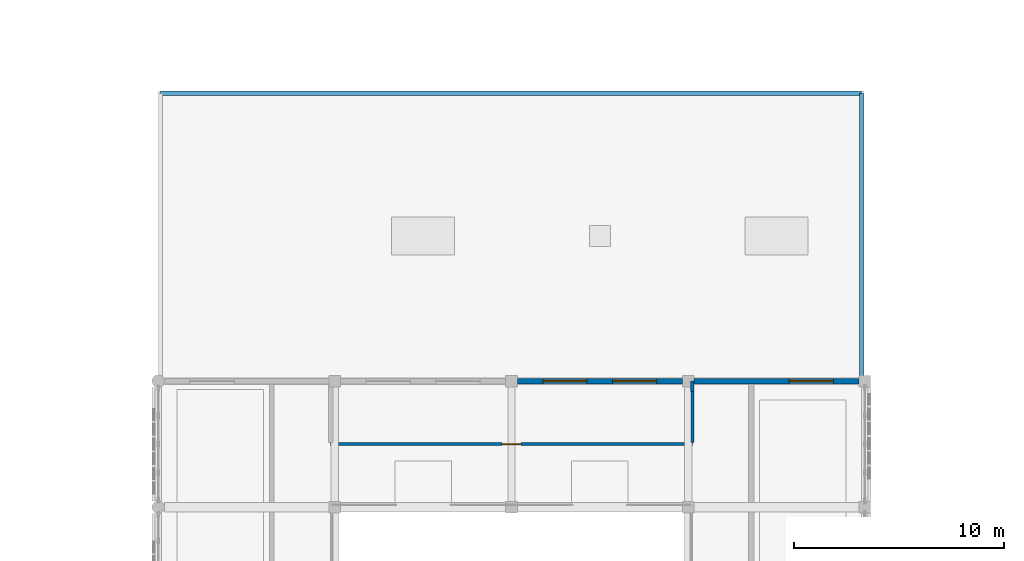
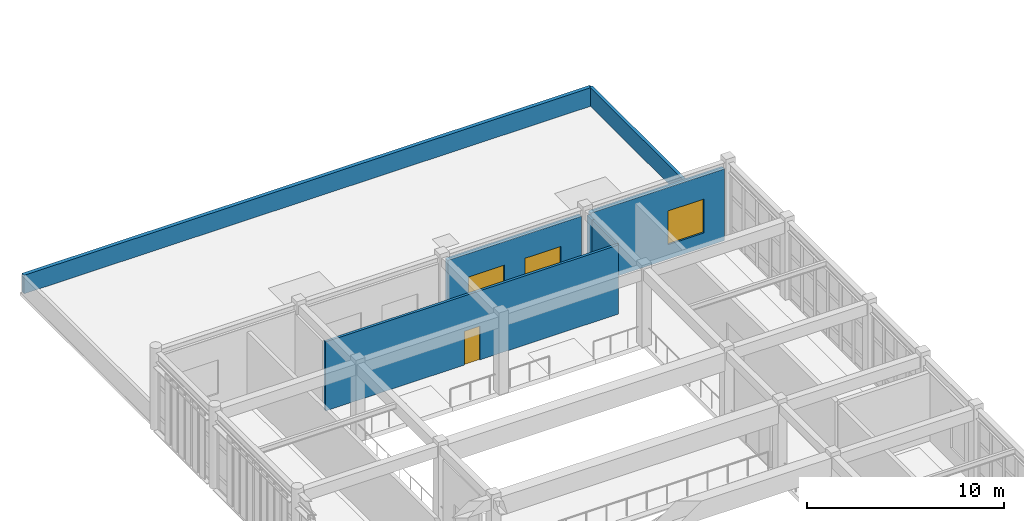
# One storey, part 63 of 77: 7 walls, 3 windows, 1 door, 4 openings.
"""IFC4 building model written with IfcOpenShell, lengths in metres."""

from ifc_helpers import new_model, si_unit, direction, frame, frame_2d, origin, place, context, subcontext, project, spatial, rectangle, extrude, material, layer, layer_set, type_object, element, fill, save


model = new_model("IFC4")

# Units and contexts
model_context = context("Model", 3, precision=1e-05, world=origin(), true_north=direction((0.0, 1.0)))
body_context = subcontext(model_context, "Body", "Model", "MODEL_VIEW")
ifc_project = project(units=[si_unit("LENGTHUNIT", "METRE"), si_unit("AREAUNIT", "SQUARE_METRE"), si_unit("VOLUMEUNIT", "CUBIC_METRE"), si_unit("PLANEANGLEUNIT", "RADIAN"), si_unit("MASSUNIT", "GRAM", prefix="KILO")], contexts=[model_context])

# Site, building, storey
site_placement = place(None, origin())
site = spatial("IfcSite", under=ifc_project, at=site_placement, CompositionType="ELEMENT")
building_placement = place(site_placement, origin())
building = spatial("IfcBuilding", under=site, at=building_placement, Name="Krzemoval Escarpment Law Courts", CompositionType="ELEMENT")
storey_placement = place(building_placement, frame((0.0, 0.0, 15.300048828125)))
storey = spatial("IfcBuildingStorey", under=building, at=storey_placement, Name="L03", CompositionType="ELEMENT", Elevation=15.300048828125)

# Wall, openings, windows
ifc_material_1 = material(Name="Precast concrete C40/50", Category="concrete")
ifc_layer_1 = layer(ifc_material_1, 0.260009765625)
ifc_layer_set_1 = layer_set([ifc_layer_1], Name="Precast concrete C40/50")
wall_type_1 = type_object("IfcWallType", Name="WL-EXT-260", PredefinedType="SOLIDWALL", material=ifc_layer_set_1)
wall_1_placement = place(storey_placement, frame((25.47509765625, 99.60009765625, 0.0), z_axis=(0.0, 0.0, 1.0), x_axis=(1.0, 0.0, 0.0)))
wall_1 = element("IfcWall", 1, at=wall_1_placement, inside=storey, type_object=wall_type_1, Name="Exterior Wall EW-L03-0331", PredefinedType="SOLIDWALL", context=body_context, shape_type="SweptSolid", body=[
    extrude(rectangle(XDim=7.849853515625, YDim=0.260009765625, at=frame_2d((3.9248046875, 0.0))), origin(), (0.0, 0.0, 1.0), 4.449951171875),
])
opening_1_placement = place(wall_1_placement, frame((1.217041015625, 0.0, 0.89990234375)))
opening_1 = element("IfcOpeningElement", 2, at=opening_1_placement, cuts=wall_1, Name="Opening WN-L03-0361", PredefinedType="OPENING", context=body_context, shape_type="SweptSolid", body=[
    extrude(rectangle(XDim=2.10009765625, YDim=2.10009765625, at=frame_2d((1.050048828125, 1.050048828125))), frame((0.0, 0.145, 0.0), z_axis=(0.0, -1.0, 0.0), x_axis=(1.0, 0.0, 0.0)), (0.0, 0.0, 1.0), 0.29001),
])
opening_2_placement = place(wall_1_placement, frame((4.532958984375, 0.0, 0.89990234375)))
opening_2 = element("IfcOpeningElement", 3, at=opening_2_placement, cuts=wall_1, Name="Opening WN-L03-0362", PredefinedType="OPENING", context=body_context, shape_type="SweptSolid", body=[
    extrude(rectangle(XDim=2.10009765625, YDim=2.10009765625, at=frame_2d((1.050048828125, 1.050048828125))), frame((0.0, 0.145, 0.0), z_axis=(0.0, -1.0, 0.0), x_axis=(1.0, 0.0, 0.0)), (0.0, 0.0, 1.0), 0.29001),
])
ifc_material_2 = material(Name="Thermally Broken Aluminium Frame with Triple Low-E Acoustic Glass", Category="aluminium")
window_type = type_object("IfcWindowType", Name="WN-2100x2100", PartitioningType="SINGLE_PANEL", PredefinedType="WINDOW", material=ifc_material_2)
window_1_placement = place(opening_1_placement, origin())
window_1 = element("IfcWindow", 4, at=window_1_placement, inside=storey, type_object=window_type, Name="Facade Window WN-L03-0361", OverallHeight=2.10009765625, OverallWidth=2.10009765625, PartitioningType="SINGLE_PANEL", PredefinedType="WINDOW", context=body_context, shape_type="SweptSolid", body=[
    extrude(rectangle(XDim=2.10009765625, YDim=2.10009765625, at=frame_2d((1.050048828125, 1.050048828125))), frame((0.0, 0.030029296875, 0.0), z_axis=(0.0, -1.0, 0.0), x_axis=(1.0, 0.0, 0.0)), (0.0, 0.0, 1.0), 0.06005859375),
])
fill(opening_1, window_1)
window_2_placement = place(opening_2_placement, origin())
window_2 = element("IfcWindow", 5, at=window_2_placement, inside=storey, type_object=window_type, Name="Facade Window WN-L03-0362", OverallHeight=2.10009765625, OverallWidth=2.10009765625, PartitioningType="SINGLE_PANEL", PredefinedType="WINDOW", context=body_context, shape_type="SweptSolid", body=[
    extrude(rectangle(XDim=2.10009765625, YDim=2.10009765625, at=frame_2d((1.050048828125, 1.050048828125))), frame((0.0, 0.030029296875, 0.0), z_axis=(0.0, -1.0, 0.0), x_axis=(1.0, 0.0, 0.0)), (0.0, 0.0, 1.0), 0.06005859375),
])
fill(opening_2, window_2)

# Wall, opening, window
wall_2_placement = place(storey_placement, frame((33.875, 99.60009765625, 0.0), z_axis=(0.0, 0.0, 1.0), x_axis=(1.0, 0.0, 0.0)))
wall_2 = element("IfcWall", 6, at=wall_2_placement, inside=storey, type_object=wall_type_1, Name="Exterior Wall EW-L03-0332", PredefinedType="SOLIDWALL", context=body_context, shape_type="SweptSolid", body=[
    extrude(rectangle(XDim=7.85009765625, YDim=0.260009765625, at=frame_2d((3.925048828125, 0.0))), origin(), (0.0, 0.0, 1.0), 4.449951171875),
])
opening_3_placement = place(wall_2_placement, frame((4.532958984375, 0.0, 0.89990234375)))
opening_3 = element("IfcOpeningElement", 7, at=opening_3_placement, cuts=wall_2, Name="Opening WN-L03-0363", PredefinedType="OPENING", context=body_context, shape_type="SweptSolid", body=[
    extrude(rectangle(XDim=2.10009765625, YDim=2.10009765625, at=frame_2d((1.050048828125, 1.050048828125))), frame((0.0, 0.145, 0.0), z_axis=(0.0, -1.0, 0.0), x_axis=(1.0, 0.0, 0.0)), (0.0, 0.0, 1.0), 0.29001),
])
window_3_placement = place(opening_3_placement, origin())
window_3 = element("IfcWindow", 8, at=window_3_placement, inside=storey, type_object=window_type, Name="Facade Window WN-L03-0363", OverallHeight=2.10009765625, OverallWidth=2.10009765625, PartitioningType="SINGLE_PANEL", PredefinedType="WINDOW", context=body_context, shape_type="SweptSolid", body=[
    extrude(rectangle(XDim=2.10009765625, YDim=2.10009765625, at=frame_2d((1.050048828125, 1.050048828125))), frame((0.0, 0.030029296875, 0.0), z_axis=(0.0, -1.0, 0.0), x_axis=(1.0, 0.0, 0.0)), (0.0, 0.0, 1.0), 0.06005859375),
])
fill(opening_3, window_3)

# Walls
ifc_material_3 = material(Name="Precast concrete C40/50", Category="concrete")
ifc_layer_2 = layer(ifc_material_3, 0.179931640625)
ifc_layer_set_2 = layer_set([ifc_layer_2], Name="Precast concrete C40/50")
wall_type_2 = type_object("IfcWallType", Name="WL-PAR-180", PredefinedType="PARAPET", material=ifc_layer_set_2)
wall_3_placement = place(storey_placement, frame((41.85009765625, 99.85009765625, 0.0), z_axis=(0.0, 0.0, 1.0), x_axis=(0.0, 1.0, 0.0)))
element("IfcWall", 9, at=wall_3_placement, inside=storey, type_object=wall_type_2, Name="Roof Parapet PR-L03-014", PredefinedType="PARAPET", context=body_context, shape_type="SweptSolid", body=[
    extrude(rectangle(XDim=13.43994140625, YDim=0.179931640625, at=frame_2d((6.719970703125, 0.0))), origin(), (0.0, 0.0, 1.0), 1.14990234375),
])
ifc_material_4 = material(Name="Precast concrete C40/50", Category="concrete")
ifc_layer_3 = layer(ifc_material_4, 0.219970703125)
ifc_layer_set_3 = layer_set([ifc_layer_3], Name="Precast concrete C40/50")
wall_type_3 = type_object("IfcWallType", Name="WL-PAR-220", PredefinedType="PARAPET", material=ifc_layer_set_3)
wall_4_placement = place(storey_placement, frame((41.85009765625, 113.2900390625, 0.0), z_axis=(0.0, 0.0, 1.0), x_axis=(-1.0, 0.0, 0.0)))
element("IfcWall", 10, at=wall_4_placement, inside=storey, type_object=wall_type_3, Name="Roof Parapet PR-L03-015", PredefinedType="PARAPET", context=body_context, shape_type="SweptSolid", body=[
    extrude(rectangle(XDim=33.340087890625, YDim=0.219970703125, at=frame_2d((16.669921875, 0.0))), origin(), (0.0, 0.0, 1.0), 1.14990234375),
])
ifc_material_5 = material(Name="Sanitary Moisture-Resistant Partition", Category="gypsum")
ifc_layer_4 = layer(ifc_material_5, 0.139892578125)
ifc_layer_set_4 = layer_set([ifc_layer_4], Name="Sanitary Moisture-Resistant Partition")
wall_type_4 = type_object("IfcWallType", Name="WL-PRT-140", PredefinedType="PARTITIONING", material=ifc_layer_set_4)
wall_5_placement = place(storey_placement, frame((33.800048828125, 96.677001953125, 0.0), z_axis=(0.0, 0.0, 1.0), x_axis=(0.0, 1.0, 0.0)))
element("IfcWall", 11, at=wall_5_placement, inside=storey, type_object=wall_type_4, Name="Interior Partition PW-L03-0550", PredefinedType="PARTITIONING", context=body_context, shape_type="SweptSolid", body=[
    extrude(rectangle(XDim=2.423095703125, YDim=0.139892578125, at=frame_2d((1.21142578125, 0.0))), origin(), (0.0, 0.0, 1.0), 4.2900390625),
])

# Wall, opening, door
ifc_material_6 = material(Name="Office Acoustic Partition Wall", Category="gypsum")
ifc_layer_5 = layer(ifc_material_6, 0.14990234375)
ifc_layer_set_5 = layer_set([ifc_layer_5], Name="Office Acoustic Partition Wall")
wall_type_5 = type_object("IfcWallType", Name="WL-PRT-150", PredefinedType="PARTITIONING", material=ifc_layer_set_5)
wall_6_placement = place(storey_placement, frame((16.60009765625, 96.60009765625, 0.0), z_axis=(0.0, 0.0, 1.0), x_axis=(1.0, 0.0, 0.0)))
wall_6 = element("IfcWall", 12, at=wall_6_placement, inside=storey, type_object=wall_type_5, Name="Interior Partition PW-L03-0523", PredefinedType="PARTITIONING", context=body_context, shape_type="SweptSolid", body=[
    extrude(rectangle(XDim=17.199951171875, YDim=0.14990234375, at=frame_2d((8.60009765625, 0.0))), origin(), (0.0, 0.0, 1.0), 4.2900390625),
])
opening_4_placement = place(wall_6_placement, frame((8.14990234375, 0.0, 0.0)))
opening_4 = element("IfcOpeningElement", 13, at=opening_4_placement, cuts=wall_6, Name="Opening D-L03-0195", PredefinedType="OPENING", context=body_context, shape_type="SweptSolid", body=[
    extrude(rectangle(XDim=0.89990234375, YDim=2.10009765625, at=frame_2d((0.449951171875, 1.050048828125))), frame((0.0, 0.08995, 0.0), z_axis=(0.0, -1.0, 0.0), x_axis=(1.0, 0.0, 0.0)), (0.0, 0.0, 1.0), 0.1799),
])
ifc_material_7 = material(Name="Engineered Solid-Core Oak Acoustic Timber", Category="wood")
door_type = type_object("IfcDoorType", Name="DR-INT-900x2100", OperationType="SINGLE_SWING_LEFT", PredefinedType="DOOR", material=ifc_material_7)
door_placement = place(opening_4_placement, origin())
door = element("IfcDoor", 14, at=door_placement, inside=storey, type_object=door_type, Name="Room Door D-L03-0195", OperationType="SINGLE_SWING_LEFT", OverallHeight=2.10009765625, OverallWidth=0.89990234375, PredefinedType="DOOR", context=body_context, shape_type="SweptSolid", body=[
    extrude(rectangle(XDim=0.89990234375, YDim=2.10009765625, at=frame_2d((0.449951171875, 1.050048828125))), frame((0.0, 0.02490234375, 0.0), z_axis=(0.0, -1.0, 0.0), x_axis=(1.0, 0.0, 0.0)), (0.0, 0.0, 1.0), 0.050048828125),
])
fill(opening_4, door)

# Wall
wall_7_placement = place(storey_placement, frame((33.800048828125, 99.10009765625, 0.0), z_axis=(0.0, 0.0, 1.0), x_axis=(0.0, 1.0, 0.0)))
element("IfcWall", 15, at=wall_7_placement, inside=storey, type_object=wall_type_5, Name="Interior Partition PW-L03-0549", PredefinedType="PARTITIONING", context=body_context, shape_type="SweptSolid", body=[
    extrude(rectangle(XDim=0.5, YDim=0.14990234375, at=frame_2d((0.25, 0.0))), origin(), (0.0, 0.0, 1.0), 4.2900390625),
])

save(model, "model.ifc")
